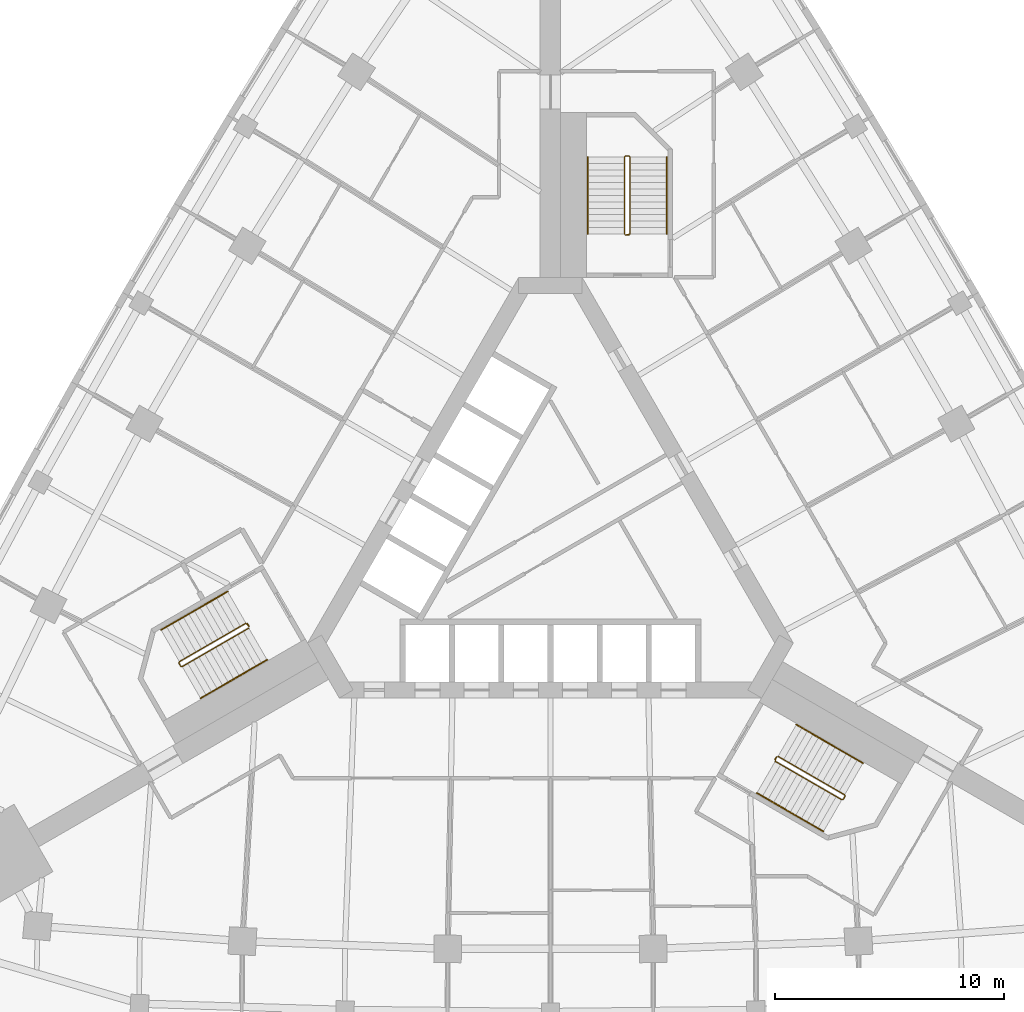
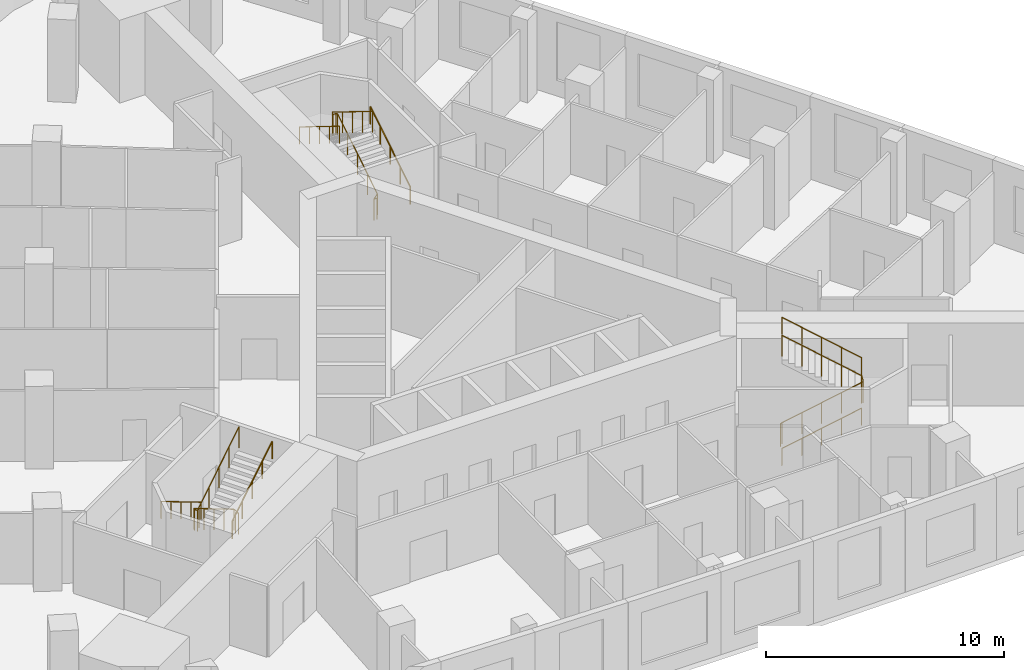
# One storey, part 11 of 11: 9 railings.
"""IFC4 building model written with IfcOpenShell, lengths in metres."""

from ifc_helpers import new_model, si_unit, direction, frame, origin, origin_2d, place, context, subcontext, project, spatial, circle, extrude, material, type_object, element, save


model = new_model("IFC4")

# Units and contexts
model_context = context("Model", 3, precision=1e-05, world=origin(), true_north=direction((0.0, 1.0)))
body_context = subcontext(model_context, "Body", "Model", "MODEL_VIEW")
ifc_project = project(units=[si_unit("LENGTHUNIT", "METRE"), si_unit("AREAUNIT", "SQUARE_METRE"), si_unit("VOLUMEUNIT", "CUBIC_METRE"), si_unit("PLANEANGLEUNIT", "RADIAN"), si_unit("MASSUNIT", "GRAM", prefix="KILO")], contexts=[model_context])

# Site, building, storey
site_placement = place(None, origin())
site = spatial("IfcSite", under=ifc_project, at=site_placement, CompositionType="ELEMENT")
building_placement = place(site_placement, origin())
building = spatial("IfcBuilding", under=site, at=building_placement, Name="Noor Cloister Tower", CompositionType="ELEMENT")
storey_placement = place(building_placement, frame((0.0, 0.0, 10.5)))
storey = spatial("IfcBuildingStorey", under=building, at=storey_placement, Name="L02", CompositionType="ELEMENT", Elevation=10.5)

# Railings
ifc_material_1 = material(Name="Stainless steel", Category="steel")
railing_type_1 = type_object("IfcRailingType", Name="Stair guard 1100", PredefinedType="GUARDRAIL", material=ifc_material_1)
railing_1_placement = place(storey_placement, frame((3.435546875, 13.306396484375, 0.0)))
element("IfcRailing", 1, at=railing_1_placement, inside=storey, type_object=railing_type_1, Name="Stair guard ST1 L02", PredefinedType="GUARDRAIL", context=body_context, shape_type="SweptSolid", body=[
    extrude(circle(Radius=0.02392578125, at=origin_2d()), frame((0.0, 0.0, 1.076171875), z_axis=(-1.0, 0.0, 0.0), x_axis=(0.0, -1.0, 0.0)), (0.0, 0.0, 1.0), 0.14990234375),
    extrude(circle(Radius=0.02392578125, at=origin_2d()), frame((-0.14990234375, 0.0, 1.076171875), z_axis=(0.742869136974, 0.185944045274, 0.643094283413), x_axis=(-0.242814311512, 0.970072785993, 0.0)), (0.0, 0.0, 1.0), 0.26904296875),
    extrude(circle(Radius=0.02392578125, at=origin_2d()), frame((0.050048828125, 0.050048828125, 1.2490234375), z_axis=(0.0, 0.850606129759, 0.525803396734), x_axis=(-1.0, 0.0, 0.0)), (0.0, 0.0, 1.0), 3.949951171875),
    extrude(circle(Radius=0.02392578125, at=origin_2d()), frame((0.050048828125, 3.409912109375, 3.326171875), z_axis=(-0.707106781187, 0.707106781187, 0.0), x_axis=(-0.707106781187, -0.707106781187, 0.0)), (0.0, 0.0, 1.0), 0.07080078125),
    extrude(circle(Radius=0.02392578125, at=origin_2d()), frame((0.0, 3.4599609375, 3.326171875), z_axis=(-1.0, 0.0, 0.0), x_axis=(0.0, -1.0, 0.0)), (0.0, 0.0, 1.0), 0.14990234375),
    extrude(circle(Radius=0.02392578125, at=origin_2d()), frame((-0.14990234375, 3.4599609375, 3.326171875), z_axis=(-0.267629722418, -0.267629722418, 0.925607186314), x_axis=(0.707106781187, -0.707106781187, 0.0)), (0.0, 0.0, 1.0), 0.18701171875),
    extrude(circle(Radius=0.02392578125, at=origin_2d()), frame((-0.199951171875, 3.409912109375, 3.4990234375), z_axis=(0.0, -0.850606129759, 0.525803396734), x_axis=(1.0, 0.0, 0.0)), (0.0, 0.0, 1.0), 3.949951171875),
    extrude(circle(Radius=0.02099609375, at=origin_2d()), origin(), (0.0, 0.0, 1.0), 1.052001953125),
    extrude(circle(Radius=0.02099609375, at=origin_2d()), frame((-0.14990234375, 0.0, 0.0)), (0.0, 0.0, 1.0), 1.052001953125),
    extrude(circle(Radius=0.02099609375, at=origin_2d()), frame((0.050048828125, 0.050048828125, 0.173095703125)), (0.0, 0.0, 1.0), 1.052001953125),
    extrude(circle(Radius=0.02099609375, at=origin_2d()), frame((0.050048828125, 0.89013671875, 0.6923828125)), (0.0, 0.0, 1.0), 1.052001953125),
    extrude(circle(Radius=0.02099609375, at=origin_2d()), frame((0.050048828125, 1.72998046875, 1.21142578125)), (0.0, 0.0, 1.0), 1.052001953125),
    extrude(circle(Radius=0.02099609375, at=origin_2d()), frame((0.050048828125, 2.56982421875, 1.730712890625)), (0.0, 0.0, 1.0), 1.052001953125),
    extrude(circle(Radius=0.02099609375, at=origin_2d()), frame((0.050048828125, 3.409912109375, 2.25)), (0.0, 0.0, 1.0), 1.052001953125),
    extrude(circle(Radius=0.02099609375, at=origin_2d()), frame((0.0, 3.4599609375, 2.25)), (0.0, 0.0, 1.0), 1.052001953125),
    extrude(circle(Radius=0.02099609375, at=origin_2d()), frame((-0.14990234375, 3.4599609375, 2.25)), (0.0, 0.0, 1.0), 1.052001953125),
    extrude(circle(Radius=0.02099609375, at=origin_2d()), frame((-0.199951171875, 3.409912109375, 2.423095703125)), (0.0, 0.0, 1.0), 1.052001953125),
    extrude(circle(Radius=0.02099609375, at=origin_2d()), frame((-0.199951171875, 2.56982421875, 2.9423828125)), (0.0, 0.0, 1.0), 1.052001953125),
    extrude(circle(Radius=0.02099609375, at=origin_2d()), frame((-0.199951171875, 1.72998046875, 3.46142578125)), (0.0, 0.0, 1.0), 1.052001953125),
    extrude(circle(Radius=0.02099609375, at=origin_2d()), frame((-0.199951171875, 0.89013671875, 3.980712890625)), (0.0, 0.0, 1.0), 1.052001953125),
    extrude(circle(Radius=0.02099609375, at=origin_2d()), frame((-0.199951171875, 0.050048828125, 4.5)), (0.0, 0.0, 1.0), 1.052001953125),
])
railing_2_placement = place(storey_placement, frame((-13.241455078125, -3.677734375, 0.0)))
element("IfcRailing", 2, at=railing_2_placement, inside=storey, type_object=railing_type_1, Name="Stair guard ST2 L02", PredefinedType="GUARDRAIL", context=body_context, shape_type="SweptSolid", body=[
    extrude(circle(Radius=0.02392578125, at=origin_2d()), frame((0.0, 0.0, 1.076171875), z_axis=(0.499112439033, -0.866537231285, 0.0), x_axis=(0.866537231285, 0.499112439033, 0.0)), (0.0, 0.0, 1.0), 0.150146484375),
    extrude(circle(Radius=0.02392578125, at=origin_2d()), frame((0.074951171875, -0.130126953125, 1.076171875), z_axis=(-0.532384093884, 0.550523245294, 0.643032917485), x_axis=(-0.718850276695, -0.695164929852, 0.0)), (0.0, 0.0, 1.0), 0.269287109375),
    extrude(circle(Radius=0.02392578125, at=origin_2d()), frame((-0.068359375, 0.01806640625, 1.2490234375), z_axis=(-0.736667954249, -0.425288379326, 0.525785240943), x_axis=(0.499976138585, -0.866039179741, 0.0)), (0.0, 0.0, 1.0), 3.9501953125),
    extrude(circle(Radius=0.02392578125, at=origin_2d()), frame((-2.978271484375, -1.661865234375, 3.326171875), z_axis=(-0.258736085224, -0.965948051503, 0.0), x_axis=(0.965948051503, -0.258736085224, 0.0)), (0.0, 0.0, 1.0), 0.07080078125),
    extrude(circle(Radius=0.02392578125, at=origin_2d()), frame((-2.99658203125, -1.730224609375, 3.326171875), z_axis=(0.501036270542, -0.865426285481, 0.0), x_axis=(0.865426285481, 0.501036270542, 0.0)), (0.0, 0.0, 1.0), 0.150146484375),
    extrude(circle(Radius=0.02392578125, at=origin_2d()), frame((-2.92138671875, -1.860107421875, 3.326171875), z_axis=(0.364418931161, -0.097962078269, 0.926068179905), x_axis=(0.259601060869, 0.965715946433, 0.0)), (0.0, 0.0, 1.0), 0.18701171875),
    extrude(circle(Radius=0.02392578125, at=origin_2d()), frame((-2.853271484375, -1.87841796875, 3.4990234375), z_axis=(0.736648589954, 0.42533900462, 0.52577141998), x_axis=(-0.500030632641, 0.866007717299, 0.0)), (0.0, 0.0, 1.0), 3.9501953125),
    extrude(circle(Radius=0.02099609375, at=origin_2d()), origin(), (0.0, 0.0, 1.0), 1.052001953125),
    extrude(circle(Radius=0.02099609375, at=origin_2d()), frame((0.074951171875, -0.130126953125, 0.0)), (0.0, 0.0, 1.0), 1.052001953125),
    extrude(circle(Radius=0.02099609375, at=origin_2d()), frame((-0.068359375, 0.01806640625, 0.173095703125)), (0.0, 0.0, 1.0), 1.052001953125),
    extrude(circle(Radius=0.02099609375, at=origin_2d()), frame((-0.7958984375, -0.40185546875, 0.6923828125)), (0.0, 0.0, 1.0), 1.052001953125),
    extrude(circle(Radius=0.02099609375, at=origin_2d()), frame((-1.5234375, -0.82177734375, 1.21142578125)), (0.0, 0.0, 1.0), 1.052001953125),
    extrude(circle(Radius=0.02099609375, at=origin_2d()), frame((-2.250732421875, -1.241943359375, 1.730712890625)), (0.0, 0.0, 1.0), 1.052001953125),
    extrude(circle(Radius=0.02099609375, at=origin_2d()), frame((-2.978271484375, -1.661865234375, 2.25)), (0.0, 0.0, 1.0), 1.052001953125),
    extrude(circle(Radius=0.02099609375, at=origin_2d()), frame((-2.99658203125, -1.730224609375, 2.25)), (0.0, 0.0, 1.0), 1.052001953125),
    extrude(circle(Radius=0.02099609375, at=origin_2d()), frame((-2.92138671875, -1.860107421875, 2.25)), (0.0, 0.0, 1.0), 1.052001953125),
    extrude(circle(Radius=0.02099609375, at=origin_2d()), frame((-2.853271484375, -1.87841796875, 2.423095703125)), (0.0, 0.0, 1.0), 1.052001953125),
    extrude(circle(Radius=0.02099609375, at=origin_2d()), frame((-2.125732421875, -1.45849609375, 2.9423828125)), (0.0, 0.0, 1.0), 1.052001953125),
    extrude(circle(Radius=0.02099609375, at=origin_2d()), frame((-1.3984375, -1.038330078125, 3.46142578125)), (0.0, 0.0, 1.0), 1.052001953125),
    extrude(circle(Radius=0.02099609375, at=origin_2d()), frame((-0.6708984375, -0.6181640625, 3.980712890625)), (0.0, 0.0, 1.0), 1.052001953125),
    extrude(circle(Radius=0.02099609375, at=origin_2d()), frame((0.056640625, -0.1982421875, 4.5)), (0.0, 0.0, 1.0), 1.052001953125),
])
railing_3_placement = place(storey_placement, frame((9.805908203125, -9.628662109375, 0.0)))
element("IfcRailing", 3, at=railing_3_placement, inside=storey, type_object=railing_type_1, Name="Stair guard ST3 L02", PredefinedType="GUARDRAIL", context=body_context, shape_type="SweptSolid", body=[
    extrude(circle(Radius=0.02392578125, at=origin_2d()), frame((0.0, 0.0, 1.076171875), z_axis=(0.499112439033, 0.866537231285, 0.0), x_axis=(-0.866537231285, 0.499112439033, 0.0)), (0.0, 0.0, 1.0), 0.150146484375),
    extrude(circle(Radius=0.02392578125, at=origin_2d()), frame((0.074951171875, 0.130126953125, 1.076171875), z_axis=(-0.210401176497, -0.736404117741, 0.642993250589), x_axis=(0.961523947641, -0.274721127897, 0.0)), (0.0, 0.0, 1.0), 0.269287109375),
    extrude(circle(Radius=0.02392578125, at=origin_2d()), frame((0.018310546875, -0.068115234375, 1.2490234375), z_axis=(0.736648589954, -0.42533900462, 0.52577141998), x_axis=(0.500030632641, 0.866007717299, 0.0)), (0.0, 0.0, 1.0), 3.9501953125),
    extrude(circle(Radius=0.02392578125, at=origin_2d()), frame((2.92822265625, -1.748291015625, 3.326171875), z_axis=(0.965715946433, 0.259601060869, 0.0), x_axis=(-0.259601060869, 0.965715946433, 0.0)), (0.0, 0.0, 1.0), 0.070556640625),
    extrude(circle(Radius=0.02392578125, at=origin_2d()), frame((2.996337890625, -1.72998046875, 3.326171875), z_axis=(0.499816412211, 0.866131372301, 0.0), x_axis=(-0.866131372301, 0.499816412211, 0.0)), (0.0, 0.0, 1.0), 0.14990234375),
    extrude(circle(Radius=0.02392578125, at=origin_2d()), frame((3.0712890625, -1.60009765625, 3.326171875), z_axis=(-0.096622130353, 0.365597249983, 0.925744465136), x_axis=(-0.966805641264, -0.255512919477, 0.0)), (0.0, 0.0, 1.0), 0.18701171875),
    extrude(circle(Radius=0.02392578125, at=origin_2d()), frame((3.05322265625, -1.53173828125, 3.4990234375), z_axis=(-0.736667954249, 0.425288379326, 0.525785240943), x_axis=(-0.499976138585, -0.866039179741, 0.0)), (0.0, 0.0, 1.0), 3.9501953125),
    extrude(circle(Radius=0.02099609375, at=origin_2d()), origin(), (0.0, 0.0, 1.0), 1.052001953125),
    extrude(circle(Radius=0.02099609375, at=origin_2d()), frame((0.074951171875, 0.130126953125, 0.0)), (0.0, 0.0, 1.0), 1.052001953125),
    extrude(circle(Radius=0.02099609375, at=origin_2d()), frame((0.018310546875, -0.068115234375, 0.173095703125)), (0.0, 0.0, 1.0), 1.052001953125),
    extrude(circle(Radius=0.02099609375, at=origin_2d()), frame((0.745849609375, -0.48828125, 0.6923828125)), (0.0, 0.0, 1.0), 1.052001953125),
    extrude(circle(Radius=0.02099609375, at=origin_2d()), frame((1.47314453125, -0.908203125, 1.21142578125)), (0.0, 0.0, 1.0), 1.052001953125),
    extrude(circle(Radius=0.02099609375, at=origin_2d()), frame((2.20068359375, -1.328125, 1.730712890625)), (0.0, 0.0, 1.0), 1.052001953125),
    extrude(circle(Radius=0.02099609375, at=origin_2d()), frame((2.92822265625, -1.748291015625, 2.25)), (0.0, 0.0, 1.0), 1.052001953125),
    extrude(circle(Radius=0.02099609375, at=origin_2d()), frame((2.996337890625, -1.72998046875, 2.25)), (0.0, 0.0, 1.0), 1.052001953125),
    extrude(circle(Radius=0.02099609375, at=origin_2d()), frame((3.0712890625, -1.60009765625, 2.25)), (0.0, 0.0, 1.0), 1.052001953125),
    extrude(circle(Radius=0.02099609375, at=origin_2d()), frame((3.05322265625, -1.53173828125, 2.423095703125)), (0.0, 0.0, 1.0), 1.052001953125),
    extrude(circle(Radius=0.02099609375, at=origin_2d()), frame((2.32568359375, -1.11181640625, 2.9423828125)), (0.0, 0.0, 1.0), 1.052001953125),
    extrude(circle(Radius=0.02099609375, at=origin_2d()), frame((1.59814453125, -0.69189453125, 3.46142578125)), (0.0, 0.0, 1.0), 1.052001953125),
    extrude(circle(Radius=0.02099609375, at=origin_2d()), frame((0.870849609375, -0.271728515625, 3.980712890625)), (0.0, 0.0, 1.0), 1.052001953125),
    extrude(circle(Radius=0.02099609375, at=origin_2d()), frame((0.143310546875, 0.148193359375, 4.5)), (0.0, 0.0, 1.0), 1.052001953125),
])
ifc_material_2 = material(Name="Stainless steel", Category="steel")
railing_type_2 = type_object("IfcRailingType", Name="Stair handrail 900", PredefinedType="HANDRAIL", material=ifc_material_2)
railing_4_placement = place(storey_placement, frame((5.085693359375, 13.3564453125, 0.173095703125)))
element("IfcRailing", 4, at=railing_4_placement, inside=storey, type_object=railing_type_2, Name="Stair handrail ST1 L02 1", PredefinedType="HANDRAIL", context=body_context, shape_type="SweptSolid", body=[
    extrude(circle(Radius=0.02392578125, at=origin_2d()), frame((0.0, 0.0, 0.8759765625), z_axis=(0.0, 0.850606129759, 0.525803396734), x_axis=(-1.0, 0.0, 0.0)), (0.0, 0.0, 1.0), 3.949951171875),
    extrude(circle(Radius=0.02099609375, at=origin_2d()), origin(), (0.0, 0.0, 1.0), 0.851806640625),
    extrude(circle(Radius=0.02099609375, at=origin_2d()), frame((0.0, 0.83984375, 0.519287109375)), (0.0, 0.0, 1.0), 0.851806640625),
    extrude(circle(Radius=0.02099609375, at=origin_2d()), frame((0.0, 1.679931640625, 1.03857421875)), (0.0, 0.0, 1.0), 0.851806640625),
    extrude(circle(Radius=0.02099609375, at=origin_2d()), frame((0.0, 2.52001953125, 1.5576171875)), (0.0, 0.0, 1.0), 0.851806640625),
    extrude(circle(Radius=0.02099609375, at=origin_2d()), frame((0.0, 3.35986328125, 2.076904296875)), (0.0, 0.0, 1.0), 0.851806640625),
])
railing_5_placement = place(storey_placement, frame((1.6357421875, 16.71630859375, 2.423095703125)))
element("IfcRailing", 5, at=railing_5_placement, inside=storey, type_object=railing_type_2, Name="Stair handrail ST1 L02 2", PredefinedType="HANDRAIL", context=body_context, shape_type="SweptSolid", body=[
    extrude(circle(Radius=0.02392578125, at=origin_2d()), frame((0.0, 0.0, 0.8759765625), z_axis=(0.0, -0.850606129759, 0.525803396734), x_axis=(1.0, 0.0, 0.0)), (0.0, 0.0, 1.0), 3.949951171875),
    extrude(circle(Radius=0.02099609375, at=origin_2d()), origin(), (0.0, 0.0, 1.0), 0.851806640625),
    extrude(circle(Radius=0.02099609375, at=origin_2d()), frame((0.0, -0.83984375, 0.519287109375)), (0.0, 0.0, 1.0), 0.851806640625),
    extrude(circle(Radius=0.02099609375, at=origin_2d()), frame((0.0, -1.679931640625, 1.03857421875)), (0.0, 0.0, 1.0), 0.851806640625),
    extrude(circle(Radius=0.02099609375, at=origin_2d()), frame((0.0, -2.52001953125, 1.5576171875)), (0.0, 0.0, 1.0), 0.851806640625),
    extrude(circle(Radius=0.02099609375, at=origin_2d()), frame((0.0, -3.35986328125, 2.076904296875)), (0.0, 0.0, 1.0), 0.851806640625),
])
railing_6_placement = place(storey_placement, frame((-14.10986328125, -2.27392578125, 0.173095703125)))
element("IfcRailing", 6, at=railing_6_placement, inside=storey, type_object=railing_type_2, Name="Stair handrail ST2 L02 1", PredefinedType="HANDRAIL", context=body_context, shape_type="SweptSolid", body=[
    extrude(circle(Radius=0.02392578125, at=origin_2d()), frame((0.0, 0.0, 0.8759765625), z_axis=(-0.736639687092, -0.425307743487, 0.525809180911), x_axis=(0.500007602105, -0.866021014662, 0.0)), (0.0, 0.0, 1.0), 3.949951171875),
    extrude(circle(Radius=0.02099609375, at=origin_2d()), origin(), (0.0, 0.0, 1.0), 0.851806640625),
    extrude(circle(Radius=0.02099609375, at=origin_2d()), frame((-0.7275390625, -0.419921875, 0.519287109375)), (0.0, 0.0, 1.0), 0.851806640625),
    extrude(circle(Radius=0.02099609375, at=origin_2d()), frame((-1.454833984375, -0.83984375, 1.03857421875)), (0.0, 0.0, 1.0), 0.851806640625),
    extrude(circle(Radius=0.02099609375, at=origin_2d()), frame((-2.18212890625, -1.260009765625, 1.5576171875)), (0.0, 0.0, 1.0), 0.851806640625),
    extrude(circle(Radius=0.02099609375, at=origin_2d()), frame((-2.90966796875, -1.679931640625, 2.076904296875)), (0.0, 0.0, 1.0), 0.851806640625),
])
railing_7_placement = place(storey_placement, frame((-15.294677734375, -6.941650390625, 2.423095703125)))
element("IfcRailing", 7, at=railing_7_placement, inside=storey, type_object=railing_type_2, Name="Stair handrail ST2 L02 2", PredefinedType="HANDRAIL", context=body_context, shape_type="SweptSolid", body=[
    extrude(circle(Radius=0.02392578125, at=origin_2d()), frame((0.0, 0.0, 0.8759765625), z_axis=(0.736667954249, 0.425288379326, 0.525785240943), x_axis=(-0.499976138585, 0.866039179741, 0.0)), (0.0, 0.0, 1.0), 3.9501953125),
    extrude(circle(Radius=0.02099609375, at=origin_2d()), origin(), (0.0, 0.0, 1.0), 0.851806640625),
    extrude(circle(Radius=0.02099609375, at=origin_2d()), frame((0.7275390625, 0.419921875, 0.519287109375)), (0.0, 0.0, 1.0), 0.851806640625),
    extrude(circle(Radius=0.02099609375, at=origin_2d()), frame((1.455078125, 0.83984375, 1.03857421875)), (0.0, 0.0, 1.0), 0.851806640625),
    extrude(circle(Radius=0.02099609375, at=origin_2d()), frame((2.182373046875, 1.260009765625, 1.5576171875)), (0.0, 0.0, 1.0), 0.851806640625),
    extrude(circle(Radius=0.02099609375, at=origin_2d()), frame((2.909912109375, 1.679931640625, 2.076904296875)), (0.0, 0.0, 1.0), 0.851806640625),
])
railing_8_placement = place(storey_placement, frame((9.024169921875, -11.08251953125, 0.173095703125)))
element("IfcRailing", 8, at=railing_8_placement, inside=storey, type_object=railing_type_2, Name="Stair handrail ST3 L02 1", PredefinedType="HANDRAIL", context=body_context, shape_type="SweptSolid", body=[
    extrude(circle(Radius=0.02392578125, at=origin_2d()), frame((0.0, 0.0, 0.8759765625), z_axis=(0.736667954249, -0.425288379326, 0.525785240943), x_axis=(0.499976138585, 0.866039179741, 0.0)), (0.0, 0.0, 1.0), 3.9501953125),
    extrude(circle(Radius=0.02099609375, at=origin_2d()), origin(), (0.0, 0.0, 1.0), 0.851806640625),
    extrude(circle(Radius=0.02099609375, at=origin_2d()), frame((0.7275390625, -0.419921875, 0.519287109375)), (0.0, 0.0, 1.0), 0.851806640625),
    extrude(circle(Radius=0.02099609375, at=origin_2d()), frame((1.455078125, -0.83984375, 1.03857421875)), (0.0, 0.0, 1.0), 0.851806640625),
    extrude(circle(Radius=0.02099609375, at=origin_2d()), frame((2.182373046875, -1.260009765625, 1.5576171875)), (0.0, 0.0, 1.0), 0.851806640625),
    extrude(circle(Radius=0.02099609375, at=origin_2d()), frame((2.909912109375, -1.679931640625, 2.076904296875)), (0.0, 0.0, 1.0), 0.851806640625),
])
railing_9_placement = place(storey_placement, frame((13.658935546875, -9.774658203125, 2.423095703125)))
element("IfcRailing", 9, at=railing_9_placement, inside=storey, type_object=railing_type_2, Name="Stair handrail ST3 L02 2", PredefinedType="HANDRAIL", context=body_context, shape_type="SweptSolid", body=[
    extrude(circle(Radius=0.02392578125, at=origin_2d()), frame((0.0, 0.0, 0.8759765625), z_axis=(-0.736639687092, 0.425307743487, 0.525809180911), x_axis=(-0.500007602105, -0.866021014662, 0.0)), (0.0, 0.0, 1.0), 3.949951171875),
    extrude(circle(Radius=0.02099609375, at=origin_2d()), origin(), (0.0, 0.0, 1.0), 0.851806640625),
    extrude(circle(Radius=0.02099609375, at=origin_2d()), frame((-0.7275390625, 0.419921875, 0.519287109375)), (0.0, 0.0, 1.0), 0.851806640625),
    extrude(circle(Radius=0.02099609375, at=origin_2d()), frame((-1.454833984375, 0.83984375, 1.03857421875)), (0.0, 0.0, 1.0), 0.851806640625),
    extrude(circle(Radius=0.02099609375, at=origin_2d()), frame((-2.18212890625, 1.260009765625, 1.5576171875)), (0.0, 0.0, 1.0), 0.851806640625),
    extrude(circle(Radius=0.02099609375, at=origin_2d()), frame((-2.90966796875, 1.679931640625, 2.076904296875)), (0.0, 0.0, 1.0), 0.851806640625),
])

save(model, "model.ifc")
